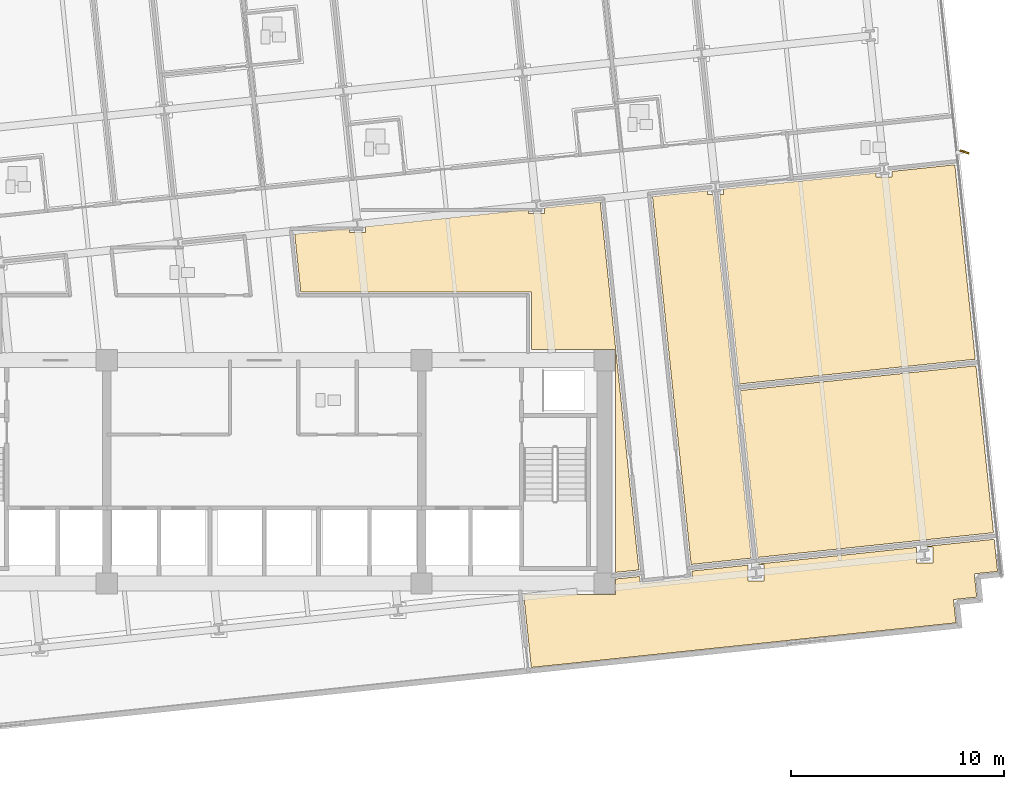
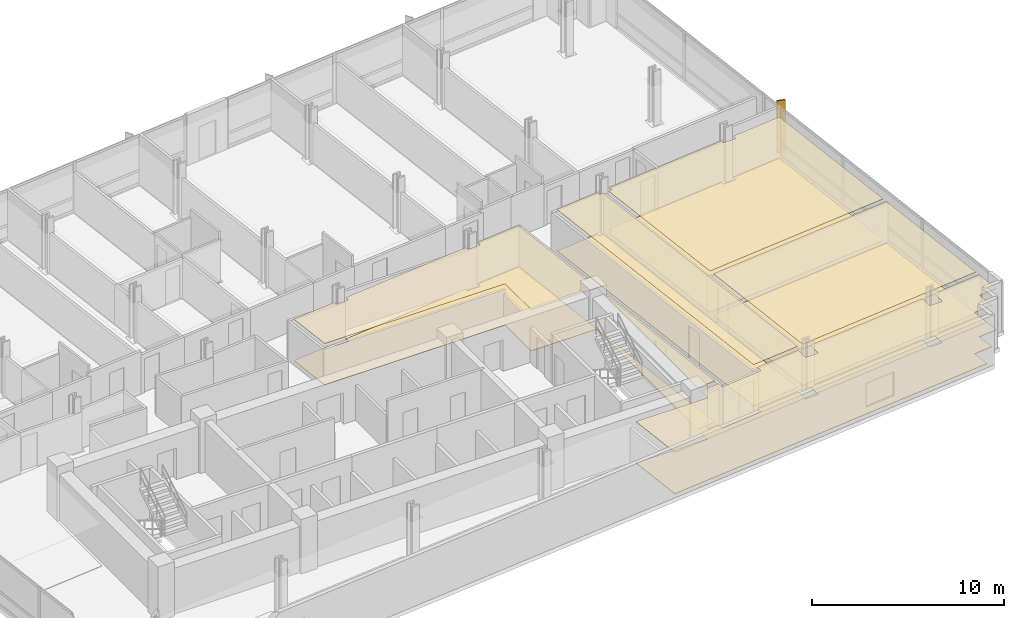
# One storey, part 17 of 19: 10 coverings, 1 shading device.
"""IFC4 building model written with IfcOpenShell, lengths in metres."""

from ifc_helpers import new_model, si_unit, direction, frame, origin, origin_2d, place, context, subcontext, project, spatial, polyline, rectangle, outline, extrude, material, layer, layer_set, type_object, element, save


model = new_model("IFC4")

# Units and contexts
model_context = context("Model", 3, precision=1e-05, world=origin(), true_north=direction((0.0, 1.0)))
body_context = subcontext(model_context, "Body", "Model", "MODEL_VIEW")
ifc_project = project(units=[si_unit("LENGTHUNIT", "METRE"), si_unit("AREAUNIT", "SQUARE_METRE"), si_unit("VOLUMEUNIT", "CUBIC_METRE"), si_unit("PLANEANGLEUNIT", "RADIAN"), si_unit("MASSUNIT", "GRAM", prefix="KILO")], contexts=[model_context])

# Site, building, storey
site_placement = place(None, origin())
site = spatial("IfcSite", under=ifc_project, at=site_placement, CompositionType="ELEMENT")
building_placement = place(site_placement, origin())
building = spatial("IfcBuilding", under=site, at=building_placement, Name="Solmavex Isthmus Hotel", CompositionType="ELEMENT")
storey_placement = place(building_placement, frame((0.0, 0.0, 83.550048828125)))
storey = spatial("IfcBuildingStorey", under=building, at=storey_placement, Name="L22", CompositionType="ELEMENT", Elevation=83.550048828125)

# Coverings
ifc_material_1 = material(Name="Gypsum plasterboard lining", Category="gypsum")
ifc_layer_1 = layer(ifc_material_1, 0.030029296875)
ifc_layer_set_1 = layer_set([ifc_layer_1], Name="Gypsum plasterboard lining")
covering_type_1 = type_object("IfcCoveringType", Name="COV-CEIL-GYP", PredefinedType="CEILING", material=ifc_layer_set_1)
covering_1_placement = place(storey_placement, frame((0.0, 0.0, 2.619873046875)))
element("IfcCovering", 1, at=covering_1_placement, inside=storey, type_object=covering_type_1, Name="Suspended Acoustic Ceiling L22-FL12", PredefinedType="CEILING", context=body_context, shape_type="SweptSolid", body=[
    extrude(outline(polyline([(21.103759765625, 5.2783203125), (20.83984375, 5.2783203125), (20.83984375, 5.462646484375), (18.25439453125, 5.19091796875), (20.072021484375, -12.10400390625), (22.899658203125, -11.806640625), (21.103759765625, 5.2783203125)])), origin(), (0.0, 0.0, 1.0), 0.030029296875),
])
covering_2_placement = place(storey_placement, frame((0.0, 0.0, 2.619873046875)))
element("IfcCovering", 2, at=covering_2_placement, inside=storey, type_object=covering_type_1, Name="Suspended Acoustic Ceiling L22-FL13", PredefinedType="CEILING", context=body_context, shape_type="SweptSolid", body=[
    extrude(outline(polyline([(4.760498046875, 3.7724609375), (4.760498046875, 3.508544921875), (4.00048828125, 3.508544921875), (4.00048828125, 3.692626953125), (1.43505859375, 3.423095703125), (1.720703125, 0.705078125), (12.554931640625, 0.705078125), (12.554931640625, -1.9951171875), (16.5048828125, -1.9951171875), (16.5048828125, -12.478759765625), (17.61572265625, -12.362060546875), (15.7978515625, 4.9326171875), (13.18017578125, 4.657470703125), (13.18017578125, 4.393310546875), (12.420166015625, 4.393310546875), (12.420166015625, 4.57763671875), (4.760498046875, 3.7724609375)])), origin(), (0.0, 0.0, 1.0), 0.030029296875),
])
covering_3_placement = place(storey_placement, frame((0.0, 0.0, 2.619873046875)))
element("IfcCovering", 3, at=covering_3_placement, inside=storey, type_object=covering_type_1, Name="Suspended Acoustic Ceiling L22-FL14", PredefinedType="CEILING", context=body_context, shape_type="SweptSolid", body=[
    extrude(outline(polyline([(16.5048828125, -12.79052734375), (16.5048828125, -13.5048828125), (12.196533203125, -13.5048828125), (12.55810546875, -16.94580078125), (15.055419921875, -16.683349609375), (23.474853515625, -15.79833984375), (31.69775390625, -14.93408203125), (32.51806640625, -14.847900390625), (32.403076171875, -13.75390625), (33.4970703125, -13.638916015625), (33.382080078125, -12.544921875), (34.47607421875, -12.429931640625), (34.389892578125, -11.609619140625), (34.317138671875, -10.91845703125), (30.888427734375, -11.27880859375), (31.431640625, -11.27880859375), (31.431640625, -12.038818359375), (30.671630859375, -12.038818359375), (30.671630859375, -11.301513671875), (23.086181640625, -12.098876953125), (22.9638671875, -12.111572265625), (23.50732421875, -12.111572265625), (23.50732421875, -12.87158203125), (22.747314453125, -12.87158203125), (22.747314453125, -12.134521484375), (20.1044921875, -12.412109375), (20.14111328125, -12.76025390625), (17.6845703125, -13.0185546875), (17.64794921875, -12.67041015625), (16.5048828125, -12.79052734375)])), origin(), (0.0, 0.0, 1.0), 0.030029296875),
])
covering_4_placement = place(storey_placement, frame((0.0, 0.0, 2.619873046875)))
element("IfcCovering", 4, at=covering_4_placement, inside=storey, type_object=covering_type_1, Name="Suspended Acoustic Ceiling L22-FL16", PredefinedType="CEILING", context=body_context, shape_type="SweptSolid", body=[
    extrude(outline(polyline([(33.460205078125, -2.76318359375), (22.383056640625, -3.927490234375), (23.207763671875, -11.7744140625), (34.284912109375, -10.610107421875), (33.460205078125, -2.76318359375)])), origin(), (0.0, 0.0, 1.0), 0.030029296875),
])
covering_5_placement = place(storey_placement, frame((0.0, 0.0, 2.619873046875)))
element("IfcCovering", 5, at=covering_5_placement, inside=storey, type_object=covering_type_1, Name="Suspended Acoustic Ceiling L22-FL17", PredefinedType="CEILING", context=body_context, shape_type="SweptSolid", body=[
    extrude(outline(polyline([(21.599609375, 5.54248046875), (21.599609375, 5.2783203125), (21.41552734375, 5.2783203125), (21.93310546875, 0.353759765625), (22.3505859375, -3.619140625), (33.427734375, -2.455078125), (33.010009765625, 1.51806640625), (32.467041015625, 6.6845703125), (29.524169921875, 6.375244140625), (29.524169921875, 6.111328125), (28.76416015625, 6.111328125), (28.76416015625, 6.29541015625), (24.816162109375, 5.880615234375), (21.599609375, 5.54248046875)])), origin(), (0.0, 0.0, 1.0), 0.030029296875),
])
ifc_material_2 = material(Name="Travertine natural stone", Category="masonry")
ifc_layer_2 = layer(ifc_material_2, 0.02490234375)
ifc_layer_set_2 = layer_set([ifc_layer_2], Name="Travertine natural stone")
covering_type_2 = type_object("IfcCoveringType", Name="COV-FLOR-STN", PredefinedType="FLOORING", material=ifc_layer_set_2)
covering_6_placement = place(storey_placement, origin())
element("IfcCovering", 6, at=covering_6_placement, inside=storey, type_object=covering_type_2, Name="Stone and Timber Floor Finish L22-FL12", PredefinedType="FLOORING", context=body_context, shape_type="SweptSolid", body=[
    extrude(outline(polyline([(21.103759765625, 5.2783203125), (20.83984375, 5.2783203125), (20.83984375, 5.462646484375), (18.25439453125, 5.19091796875), (20.072021484375, -12.10400390625), (22.899658203125, -11.806640625), (21.103759765625, 5.2783203125)])), origin(), (0.0, 0.0, 1.0), 0.02490234375),
])
covering_7_placement = place(storey_placement, origin())
element("IfcCovering", 7, at=covering_7_placement, inside=storey, type_object=covering_type_2, Name="Stone and Timber Floor Finish L22-FL13", PredefinedType="FLOORING", context=body_context, shape_type="SweptSolid", body=[
    extrude(outline(polyline([(4.760498046875, 3.7724609375), (4.760498046875, 3.508544921875), (4.00048828125, 3.508544921875), (4.00048828125, 3.692626953125), (1.43505859375, 3.423095703125), (1.720703125, 0.705078125), (12.554931640625, 0.705078125), (12.554931640625, -1.9951171875), (16.5048828125, -1.9951171875), (16.5048828125, -12.478759765625), (17.61572265625, -12.362060546875), (15.7978515625, 4.9326171875), (13.18017578125, 4.657470703125), (13.18017578125, 4.393310546875), (12.420166015625, 4.393310546875), (12.420166015625, 4.57763671875), (4.760498046875, 3.7724609375)])), origin(), (0.0, 0.0, 1.0), 0.02490234375),
])
covering_8_placement = place(storey_placement, origin())
element("IfcCovering", 8, at=covering_8_placement, inside=storey, type_object=covering_type_2, Name="Stone and Timber Floor Finish L22-FL14", PredefinedType="FLOORING", context=body_context, shape_type="SweptSolid", body=[
    extrude(outline(polyline([(16.5048828125, -12.79052734375), (16.5048828125, -13.5048828125), (12.196533203125, -13.5048828125), (12.55810546875, -16.94580078125), (15.055419921875, -16.683349609375), (23.474853515625, -15.79833984375), (31.69775390625, -14.93408203125), (32.51806640625, -14.847900390625), (32.403076171875, -13.75390625), (33.4970703125, -13.638916015625), (33.382080078125, -12.544921875), (34.47607421875, -12.429931640625), (34.389892578125, -11.609619140625), (34.317138671875, -10.91845703125), (30.888427734375, -11.27880859375), (31.431640625, -11.27880859375), (31.431640625, -12.038818359375), (30.671630859375, -12.038818359375), (30.671630859375, -11.301513671875), (23.086181640625, -12.098876953125), (22.9638671875, -12.111572265625), (23.50732421875, -12.111572265625), (23.50732421875, -12.87158203125), (22.747314453125, -12.87158203125), (22.747314453125, -12.134521484375), (20.1044921875, -12.412109375), (20.14111328125, -12.76025390625), (17.6845703125, -13.0185546875), (17.64794921875, -12.67041015625), (16.5048828125, -12.79052734375)])), origin(), (0.0, 0.0, 1.0), 0.02490234375),
])
covering_9_placement = place(storey_placement, origin())
element("IfcCovering", 9, at=covering_9_placement, inside=storey, type_object=covering_type_2, Name="Stone and Timber Floor Finish L22-FL16", PredefinedType="FLOORING", context=body_context, shape_type="SweptSolid", body=[
    extrude(outline(polyline([(33.460205078125, -2.76318359375), (22.383056640625, -3.927490234375), (23.207763671875, -11.7744140625), (34.284912109375, -10.610107421875), (33.460205078125, -2.76318359375)])), origin(), (0.0, 0.0, 1.0), 0.02490234375),
])
covering_10_placement = place(storey_placement, origin())
element("IfcCovering", 10, at=covering_10_placement, inside=storey, type_object=covering_type_2, Name="Stone and Timber Floor Finish L22-FL17", PredefinedType="FLOORING", context=body_context, shape_type="SweptSolid", body=[
    extrude(outline(polyline([(21.599609375, 5.54248046875), (21.599609375, 5.2783203125), (21.41552734375, 5.2783203125), (21.93310546875, 0.353759765625), (22.3505859375, -3.619140625), (33.427734375, -2.455078125), (33.010009765625, 1.51806640625), (32.467041015625, 6.6845703125), (29.524169921875, 6.375244140625), (29.524169921875, 6.111328125), (28.76416015625, 6.111328125), (28.76416015625, 6.29541015625), (24.816162109375, 5.880615234375), (21.599609375, 5.54248046875)])), origin(), (0.0, 0.0, 1.0), 0.02490234375),
])

# Shading device
ifc_material_3 = material(Name="Aluminium alloy 6063-T6", Category="aluminium")
shading_device_type = type_object("IfcShadingDeviceType", Name="SHD-FIN-BRONZE", PredefinedType="USERDEFINED", material=ifc_material_3)
shading_device_placement = place(storey_placement, frame((32.921142578125, 7.29052734375, -0.14013671875), z_axis=(0.0, 0.0, 1.0), x_axis=(0.951056516295, -0.309016994375, 0.0)))
element("IfcShadingDevice", 11, at=shading_device_placement, inside=storey, type_object=shading_device_type, Name="Anodised Aluminium Solar Fin L22-E1", ObjectType="SOLAR_FIN", PredefinedType="USERDEFINED", context=body_context, shape_type="SweptSolid", body=[
    extrude(rectangle(XDim=0.449951171875, YDim=0.080078125, at=origin_2d()), origin(), (0.0, 0.0, 1.0), 3.330078125),
])

save(model, "model.ifc")
